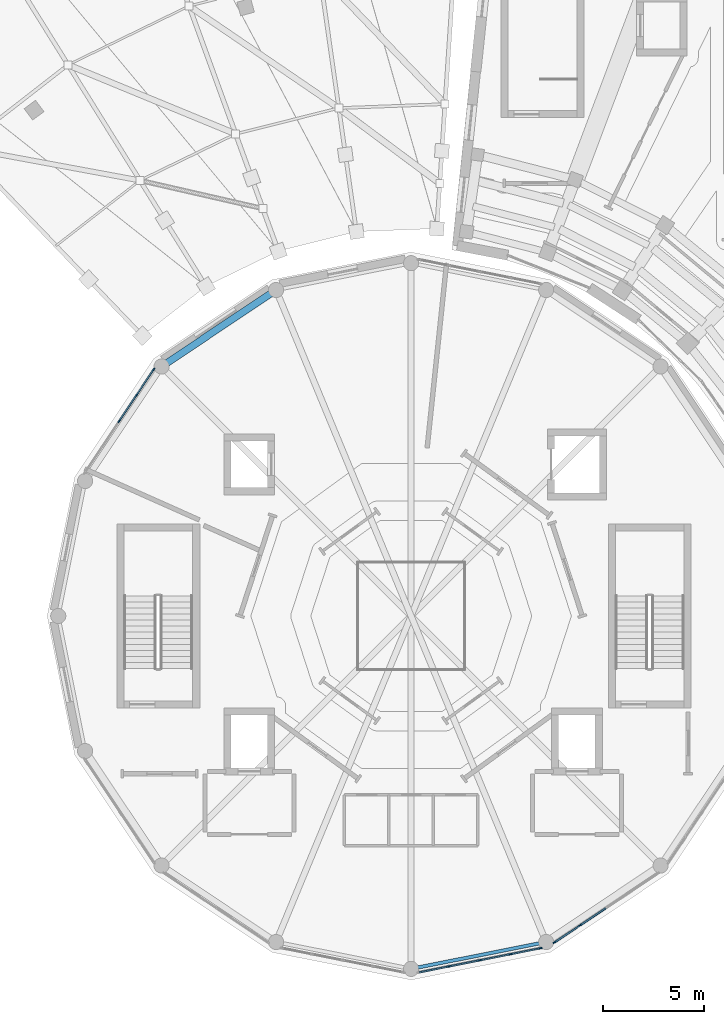
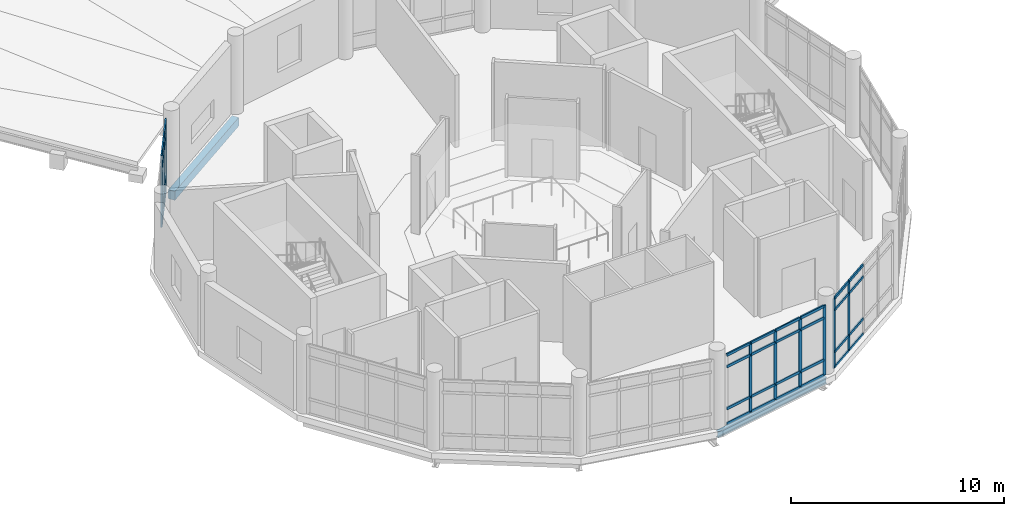
# One storey, part 8 of 27: 41 members, 2 beams, 3 elements without a shape of their own.
"""IFC4 building model written with IfcOpenShell, lengths in metres."""

from ifc_helpers import new_model, si_unit, direction, frame, origin, origin_2d, place, context, subcontext, project, spatial, rectangle, i_section, extrude, material, material_profile, profile_set, type_object, element, aggregate, save


model = new_model("IFC4")

# Units and contexts
model_context = context("Model", 3, precision=1e-05, world=origin(), true_north=direction((0.0, 1.0)))
body_context = subcontext(model_context, "Body", "Model", "MODEL_VIEW")
ifc_project = project(units=[si_unit("LENGTHUNIT", "METRE"), si_unit("AREAUNIT", "SQUARE_METRE"), si_unit("VOLUMEUNIT", "CUBIC_METRE"), si_unit("PLANEANGLEUNIT", "RADIAN"), si_unit("MASSUNIT", "GRAM", prefix="KILO")], contexts=[model_context])

# Site, building, storey
site_placement = place(None, origin())
site = spatial("IfcSite", under=ifc_project, at=site_placement, CompositionType="ELEMENT")
building_placement = place(site_placement, origin())
building = spatial("IfcBuilding", under=site, at=building_placement, Name="Soyqirgoq Riverine Aquarium", CompositionType="ELEMENT")
storey_placement = place(building_placement, frame((0.0, 0.0, 19.800048828125)))
storey = spatial("IfcBuildingStorey", under=building, at=storey_placement, Name="L05", CompositionType="ELEMENT", Elevation=19.800048828125)

# Curtain wall, members
ifc_material_1 = material(Name="Anodised aluminium thermally broken triple low-E glazing", Category="aluminium")
curtain_wall_type = type_object("IfcCurtainWallType", Name="CW_DrumGallery_Unitised", PredefinedType="NOTDEFINED", material=ifc_material_1)
curtain_wall_1_placement = place(storey_placement, origin())
curtain_wall_1 = element("IfcCurtainWall", 1, at=curtain_wall_1_placement, inside=storey, type_object=curtain_wall_type, Name="V1 L05 Curtain Wall 027", PredefinedType="NOTDEFINED")
ifc_material_2 = material(Name="Anodised aluminium 6063-T6", Category="aluminium")
ifc_material_profile_1 = material_profile(ifc_material_2, rectangle(XDim=0.06494140625, YDim=0.179931640625, at=origin_2d()), Name="ALU-M 65x180")
ifc_profile_set_1 = profile_set([ifc_material_profile_1], Name="Anodised aluminium 6063-T6")
member_type_1 = type_object("IfcMemberType", Name="CWMullion_65x180", PredefinedType="MULLION", material=ifc_profile_set_1)
member_1_placement = place(storey_placement, frame((43.26708984375, 69.19091796875, 0.0), z_axis=(0.0, 0.0, 1.0), x_axis=(0.831475717779, -0.55556109542, 0.0)))
member_1 = element("IfcMember", 2, at=member_1_placement, type_object=member_type_1, Name="CW-01 mullion 1", PredefinedType="MULLION", context=body_context, shape_type="SweptSolid", body=[
    extrude(rectangle(XDim=0.06494140625, YDim=0.179931640625, at=origin_2d()), origin(), (0.0, 0.0, 1.0), 4.0),
])
member_2_placement = place(storey_placement, frame((42.425537109375, 67.931396484375, 0.0), z_axis=(0.0, 0.0, 1.0), x_axis=(0.831475717779, -0.55556109542, 0.0)))
member_2 = element("IfcMember", 3, at=member_2_placement, type_object=member_type_1, Name="CW-01 mullion 2", PredefinedType="MULLION", context=body_context, shape_type="SweptSolid", body=[
    extrude(rectangle(XDim=0.06494140625, YDim=0.179931640625, at=origin_2d()), origin(), (0.0, 0.0, 1.0), 4.0),
])
member_3_placement = place(storey_placement, frame((41.565673828125, 66.64453125, 0.0), z_axis=(0.0, 0.0, 1.0), x_axis=(0.831475717779, -0.55556109542, 0.0)))
member_3 = element("IfcMember", 4, at=member_3_placement, type_object=member_type_1, Name="CW-01 mullion 3", PredefinedType="MULLION", context=body_context, shape_type="SweptSolid", body=[
    extrude(rectangle(XDim=0.06494140625, YDim=0.179931640625, at=origin_2d()), origin(), (0.0, 0.0, 1.0), 4.0),
])

curtain_wall_2_placement = place(storey_placement, origin())
curtain_wall_2 = element("IfcCurtainWall", 5, at=curtain_wall_2_placement, inside=storey, type_object=curtain_wall_type, Name="V1 L05 Curtain Wall 059", PredefinedType="NOTDEFINED")
member_4_placement = place(storey_placement, frame((57.869140625, 39.671875, 0.0), z_axis=(0.0, 0.0, 1.0), x_axis=(-0.19507834152, 0.980787663396, 0.0)))
member_4 = element("IfcMember", 6, at=member_4_placement, type_object=member_type_1, Name="CW-01 mullion 2", PredefinedType="MULLION", context=body_context, shape_type="SweptSolid", body=[
    extrude(rectangle(XDim=0.06494140625, YDim=0.179931640625, at=origin_2d()), origin(), (0.0, 0.0, 1.0), 4.0),
])
member_5_placement = place(storey_placement, frame((59.38671875, 39.9736328125, 0.0), z_axis=(0.0, 0.0, 1.0), x_axis=(-0.19507834152, 0.980787663396, 0.0)))
member_5 = element("IfcMember", 7, at=member_5_placement, type_object=member_type_1, Name="CW-01 mullion 3", PredefinedType="MULLION", context=body_context, shape_type="SweptSolid", body=[
    extrude(rectangle(XDim=0.06494140625, YDim=0.179931640625, at=origin_2d()), origin(), (0.0, 0.0, 1.0), 4.0),
])
member_6_placement = place(storey_placement, frame((60.904541015625, 40.275634765625, 0.0), z_axis=(0.0, 0.0, 1.0), x_axis=(-0.19507834152, 0.980787663396, 0.0)))
member_6 = element("IfcMember", 8, at=member_6_placement, type_object=member_type_1, Name="CW-01 mullion 4", PredefinedType="MULLION", context=body_context, shape_type="SweptSolid", body=[
    extrude(rectangle(XDim=0.06494140625, YDim=0.179931640625, at=origin_2d()), origin(), (0.0, 0.0, 1.0), 4.0),
])
member_7_placement = place(storey_placement, frame((62.390380859375, 40.571044921875, 0.0), z_axis=(0.0, 0.0, 1.0), x_axis=(-0.19507834152, 0.980787663396, 0.0)))
member_7 = element("IfcMember", 9, at=member_7_placement, type_object=member_type_1, Name="CW-01 mullion 5", PredefinedType="MULLION", context=body_context, shape_type="SweptSolid", body=[
    extrude(rectangle(XDim=0.06494140625, YDim=0.179931640625, at=origin_2d()), origin(), (0.0, 0.0, 1.0), 4.0),
])

curtain_wall_3_placement = place(storey_placement, origin())
curtain_wall_3 = element("IfcCurtainWall", 10, at=curtain_wall_3_placement, inside=storey, type_object=curtain_wall_type, Name="V1 L05 Curtain Wall 064", PredefinedType="NOTDEFINED")
member_8_placement = place(storey_placement, frame((63.09814453125, 40.8642578125, 0.0), z_axis=(0.0, 0.0, 1.0), x_axis=(-0.55556109542, 0.831475717779, 0.0)))
member_8 = element("IfcMember", 11, at=member_8_placement, type_object=member_type_1, Name="CW-01 mullion 1", PredefinedType="MULLION", context=body_context, shape_type="SweptSolid", body=[
    extrude(rectangle(XDim=0.06494140625, YDim=0.179931640625, at=origin_2d()), origin(), (0.0, 0.0, 1.0), 4.0),
])
member_9_placement = place(storey_placement, frame((64.35791015625, 41.7060546875, 0.0), z_axis=(0.0, 0.0, 1.0), x_axis=(-0.55556109542, 0.831475717779, 0.0)))
member_9 = element("IfcMember", 12, at=member_9_placement, type_object=member_type_1, Name="CW-01 mullion 2", PredefinedType="MULLION", context=body_context, shape_type="SweptSolid", body=[
    extrude(rectangle(XDim=0.06494140625, YDim=0.179931640625, at=origin_2d()), origin(), (0.0, 0.0, 1.0), 4.0),
])

# Member
ifc_material_3 = material(Name="Anodised aluminium 6063-T6", Category="aluminium")
ifc_material_profile_2 = material_profile(ifc_material_3, rectangle(XDim=0.074951171875, YDim=0.14990234375, at=origin_2d()), Name="ALU-T 75x150")
ifc_profile_set_2 = profile_set([ifc_material_profile_2], Name="Anodised aluminium 6063-T6")
member_type_2 = type_object("IfcMemberType", Name="CWTransom_75x150", PredefinedType="USERDEFINED", material=ifc_profile_set_2)
member_10_placement = place(storey_placement, frame((43.2490234375, 69.1640625, 0.037353515625), z_axis=(-0.555438196411, -0.831557821181, 0.0), x_axis=(0.831557821181, -0.555438196411, 0.0)))
member_10 = element("IfcMember", 13, at=member_10_placement, type_object=member_type_2, Name="CW-01 transom 1.1", ObjectType="TRANSOM", PredefinedType="USERDEFINED", context=body_context, shape_type="SweptSolid", body=[
    extrude(rectangle(XDim=0.074951171875, YDim=0.14990234375, at=origin_2d()), origin(), (0.0, 0.0, 1.0), 1.449951171875),
])

member_11_placement = place(storey_placement, frame((43.2490234375, 69.1640625, 0.89990234375), z_axis=(-0.555438196411, -0.831557821181, 0.0), x_axis=(0.831557821181, -0.555438196411, 0.0)))
member_11 = element("IfcMember", 14, at=member_11_placement, type_object=member_type_2, Name="CW-01 transom 1.2", ObjectType="TRANSOM", PredefinedType="USERDEFINED", context=body_context, shape_type="SweptSolid", body=[
    extrude(rectangle(XDim=0.074951171875, YDim=0.14990234375, at=origin_2d()), origin(), (0.0, 0.0, 1.0), 1.449951171875),
])

member_12_placement = place(storey_placement, frame((43.2490234375, 69.1640625, 3.300048828125), z_axis=(-0.555438196411, -0.831557821181, 0.0), x_axis=(0.831557821181, -0.555438196411, 0.0)))
member_12 = element("IfcMember", 15, at=member_12_placement, type_object=member_type_2, Name="CW-01 transom 1.3", ObjectType="TRANSOM", PredefinedType="USERDEFINED", context=body_context, shape_type="SweptSolid", body=[
    extrude(rectangle(XDim=0.074951171875, YDim=0.14990234375, at=origin_2d()), origin(), (0.0, 0.0, 1.0), 1.449951171875),
])

member_13_placement = place(storey_placement, frame((43.2490234375, 69.1640625, 3.96240234375), z_axis=(-0.555438196411, -0.831557821181, 0.0), x_axis=(0.831557821181, -0.555438196411, 0.0)))
member_13 = element("IfcMember", 16, at=member_13_placement, type_object=member_type_2, Name="CW-01 transom 1.4", ObjectType="TRANSOM", PredefinedType="USERDEFINED", context=body_context, shape_type="SweptSolid", body=[
    extrude(rectangle(XDim=0.074951171875, YDim=0.14990234375, at=origin_2d()), origin(), (0.0, 0.0, 1.0), 1.449951171875),
])

member_14_placement = place(storey_placement, frame((42.407470703125, 67.904296875, 0.037353515625), z_axis=(-0.555611906603, -0.831441765394, 0.0), x_axis=(0.831441765394, -0.555611906603, 0.0)))
member_14 = element("IfcMember", 17, at=member_14_placement, type_object=member_type_2, Name="CW-01 transom 2.1", ObjectType="TRANSOM", PredefinedType="USERDEFINED", context=body_context, shape_type="SweptSolid", body=[
    extrude(rectangle(XDim=0.074951171875, YDim=0.14990234375, at=origin_2d()), origin(), (0.0, 0.0, 1.0), 1.482666015625),
])

member_15_placement = place(storey_placement, frame((42.407470703125, 67.904296875, 0.89990234375), z_axis=(-0.555611906603, -0.831441765394, 0.0), x_axis=(0.831441765394, -0.555611906603, 0.0)))
member_15 = element("IfcMember", 18, at=member_15_placement, type_object=member_type_2, Name="CW-01 transom 2.2", ObjectType="TRANSOM", PredefinedType="USERDEFINED", context=body_context, shape_type="SweptSolid", body=[
    extrude(rectangle(XDim=0.074951171875, YDim=0.14990234375, at=origin_2d()), origin(), (0.0, 0.0, 1.0), 1.482666015625),
])

member_16_placement = place(storey_placement, frame((42.407470703125, 67.904296875, 3.300048828125), z_axis=(-0.555611906603, -0.831441765394, 0.0), x_axis=(0.831441765394, -0.555611906603, 0.0)))
member_16 = element("IfcMember", 19, at=member_16_placement, type_object=member_type_2, Name="CW-01 transom 2.3", ObjectType="TRANSOM", PredefinedType="USERDEFINED", context=body_context, shape_type="SweptSolid", body=[
    extrude(rectangle(XDim=0.074951171875, YDim=0.14990234375, at=origin_2d()), origin(), (0.0, 0.0, 1.0), 1.482666015625),
])

member_17_placement = place(storey_placement, frame((42.407470703125, 67.904296875, 3.96240234375), z_axis=(-0.555611906603, -0.831441765394, 0.0), x_axis=(0.831441765394, -0.555611906603, 0.0)))
member_17 = element("IfcMember", 20, at=member_17_placement, type_object=member_type_2, Name="CW-01 transom 2.4", ObjectType="TRANSOM", PredefinedType="USERDEFINED", context=body_context, shape_type="SweptSolid", body=[
    extrude(rectangle(XDim=0.074951171875, YDim=0.14990234375, at=origin_2d()), origin(), (0.0, 0.0, 1.0), 1.482666015625),
])

aggregate(curtain_wall_1, [member_1, member_2, member_3, member_10, member_11, member_12, member_13, member_14, member_15, member_16, member_17])

member_18_placement = place(storey_placement, frame((56.4150390625, 39.382568359375, 0.037353515625), z_axis=(0.980774471438, 0.195144654489, 0.0), x_axis=(-0.195144654489, 0.980774471438, 0.0)))
member_18 = element("IfcMember", 21, at=member_18_placement, type_object=member_type_2, Name="CW-01 transom 1.1", ObjectType="TRANSOM", PredefinedType="USERDEFINED", context=body_context, shape_type="SweptSolid", body=[
    extrude(rectangle(XDim=0.074951171875, YDim=0.14990234375, at=origin_2d()), origin(), (0.0, 0.0, 1.0), 1.449951171875),
])

member_19_placement = place(storey_placement, frame((56.4150390625, 39.382568359375, 0.89990234375), z_axis=(0.980774471438, 0.195144654489, 0.0), x_axis=(-0.195144654489, 0.980774471438, 0.0)))
member_19 = element("IfcMember", 22, at=member_19_placement, type_object=member_type_2, Name="CW-01 transom 1.2", ObjectType="TRANSOM", PredefinedType="USERDEFINED", context=body_context, shape_type="SweptSolid", body=[
    extrude(rectangle(XDim=0.074951171875, YDim=0.14990234375, at=origin_2d()), origin(), (0.0, 0.0, 1.0), 1.449951171875),
])

member_20_placement = place(storey_placement, frame((56.4150390625, 39.382568359375, 3.300048828125), z_axis=(0.980774471438, 0.195144654489, 0.0), x_axis=(-0.195144654489, 0.980774471438, 0.0)))
member_20 = element("IfcMember", 23, at=member_20_placement, type_object=member_type_2, Name="CW-01 transom 1.3", ObjectType="TRANSOM", PredefinedType="USERDEFINED", context=body_context, shape_type="SweptSolid", body=[
    extrude(rectangle(XDim=0.074951171875, YDim=0.14990234375, at=origin_2d()), origin(), (0.0, 0.0, 1.0), 1.449951171875),
])

member_21_placement = place(storey_placement, frame((56.4150390625, 39.382568359375, 3.96240234375), z_axis=(0.980774471438, 0.195144654489, 0.0), x_axis=(-0.195144654489, 0.980774471438, 0.0)))
member_21 = element("IfcMember", 24, at=member_21_placement, type_object=member_type_2, Name="CW-01 transom 1.4", ObjectType="TRANSOM", PredefinedType="USERDEFINED", context=body_context, shape_type="SweptSolid", body=[
    extrude(rectangle(XDim=0.074951171875, YDim=0.14990234375, at=origin_2d()), origin(), (0.0, 0.0, 1.0), 1.449951171875),
])

member_22_placement = place(storey_placement, frame((57.90087890625, 39.67822265625, 0.037353515625), z_axis=(0.980808025355, 0.194975940567, 0.0), x_axis=(-0.194975940567, 0.980808025355, 0.0)))
member_22 = element("IfcMember", 25, at=member_22_placement, type_object=member_type_2, Name="CW-01 transom 2.1", ObjectType="TRANSOM", PredefinedType="USERDEFINED", context=body_context, shape_type="SweptSolid", body=[
    extrude(rectangle(XDim=0.074951171875, YDim=0.14990234375, at=origin_2d()), origin(), (0.0, 0.0, 1.0), 1.482666015625),
])

member_23_placement = place(storey_placement, frame((57.90087890625, 39.67822265625, 0.89990234375), z_axis=(0.980808025355, 0.194975940567, 0.0), x_axis=(-0.194975940567, 0.980808025355, 0.0)))
member_23 = element("IfcMember", 26, at=member_23_placement, type_object=member_type_2, Name="CW-01 transom 2.2", ObjectType="TRANSOM", PredefinedType="USERDEFINED", context=body_context, shape_type="SweptSolid", body=[
    extrude(rectangle(XDim=0.074951171875, YDim=0.14990234375, at=origin_2d()), origin(), (0.0, 0.0, 1.0), 1.482666015625),
])

member_24_placement = place(storey_placement, frame((57.90087890625, 39.67822265625, 3.300048828125), z_axis=(0.980808025355, 0.194975940567, 0.0), x_axis=(-0.194975940567, 0.980808025355, 0.0)))
member_24 = element("IfcMember", 27, at=member_24_placement, type_object=member_type_2, Name="CW-01 transom 2.3", ObjectType="TRANSOM", PredefinedType="USERDEFINED", context=body_context, shape_type="SweptSolid", body=[
    extrude(rectangle(XDim=0.074951171875, YDim=0.14990234375, at=origin_2d()), origin(), (0.0, 0.0, 1.0), 1.482666015625),
])

member_25_placement = place(storey_placement, frame((57.90087890625, 39.67822265625, 3.96240234375), z_axis=(0.980808025355, 0.194975940567, 0.0), x_axis=(-0.194975940567, 0.980808025355, 0.0)))
member_25 = element("IfcMember", 28, at=member_25_placement, type_object=member_type_2, Name="CW-01 transom 2.4", ObjectType="TRANSOM", PredefinedType="USERDEFINED", context=body_context, shape_type="SweptSolid", body=[
    extrude(rectangle(XDim=0.074951171875, YDim=0.14990234375, at=origin_2d()), origin(), (0.0, 0.0, 1.0), 1.482666015625),
])

member_26_placement = place(storey_placement, frame((59.418701171875, 39.97998046875, 0.037353515625), z_axis=(0.980770250261, 0.19516586844, 0.0), x_axis=(-0.19516586844, 0.980770250261, 0.0)))
member_26 = element("IfcMember", 29, at=member_26_placement, type_object=member_type_2, Name="CW-01 transom 3.1", ObjectType="TRANSOM", PredefinedType="USERDEFINED", context=body_context, shape_type="SweptSolid", body=[
    extrude(rectangle(XDim=0.074951171875, YDim=0.14990234375, at=origin_2d()), origin(), (0.0, 0.0, 1.0), 1.482421875),
])

member_27_placement = place(storey_placement, frame((59.418701171875, 39.97998046875, 0.89990234375), z_axis=(0.980770250261, 0.19516586844, 0.0), x_axis=(-0.19516586844, 0.980770250261, 0.0)))
member_27 = element("IfcMember", 30, at=member_27_placement, type_object=member_type_2, Name="CW-01 transom 3.2", ObjectType="TRANSOM", PredefinedType="USERDEFINED", context=body_context, shape_type="SweptSolid", body=[
    extrude(rectangle(XDim=0.074951171875, YDim=0.14990234375, at=origin_2d()), origin(), (0.0, 0.0, 1.0), 1.482421875),
])

member_28_placement = place(storey_placement, frame((59.418701171875, 39.97998046875, 3.300048828125), z_axis=(0.980770250261, 0.19516586844, 0.0), x_axis=(-0.19516586844, 0.980770250261, 0.0)))
member_28 = element("IfcMember", 31, at=member_28_placement, type_object=member_type_2, Name="CW-01 transom 3.3", ObjectType="TRANSOM", PredefinedType="USERDEFINED", context=body_context, shape_type="SweptSolid", body=[
    extrude(rectangle(XDim=0.074951171875, YDim=0.14990234375, at=origin_2d()), origin(), (0.0, 0.0, 1.0), 1.482421875),
])

member_29_placement = place(storey_placement, frame((59.418701171875, 39.97998046875, 3.96240234375), z_axis=(0.980770250261, 0.19516586844, 0.0), x_axis=(-0.19516586844, 0.980770250261, 0.0)))
member_29 = element("IfcMember", 32, at=member_29_placement, type_object=member_type_2, Name="CW-01 transom 3.4", ObjectType="TRANSOM", PredefinedType="USERDEFINED", context=body_context, shape_type="SweptSolid", body=[
    extrude(rectangle(XDim=0.074951171875, YDim=0.14990234375, at=origin_2d()), origin(), (0.0, 0.0, 1.0), 1.482421875),
])

member_30_placement = place(storey_placement, frame((60.936279296875, 40.281982421875, 0.037353515625), z_axis=(0.980806684576, 0.194982685105, 0.0), x_axis=(-0.194982685105, 0.980806684576, 0.0)))
member_30 = element("IfcMember", 33, at=member_30_placement, type_object=member_type_2, Name="CW-01 transom 4.1", ObjectType="TRANSOM", PredefinedType="USERDEFINED", context=body_context, shape_type="SweptSolid", body=[
    extrude(rectangle(XDim=0.074951171875, YDim=0.14990234375, at=origin_2d()), origin(), (0.0, 0.0, 1.0), 1.449951171875),
])

member_31_placement = place(storey_placement, frame((60.936279296875, 40.281982421875, 0.89990234375), z_axis=(0.980806684576, 0.194982685105, 0.0), x_axis=(-0.194982685105, 0.980806684576, 0.0)))
member_31 = element("IfcMember", 34, at=member_31_placement, type_object=member_type_2, Name="CW-01 transom 4.2", ObjectType="TRANSOM", PredefinedType="USERDEFINED", context=body_context, shape_type="SweptSolid", body=[
    extrude(rectangle(XDim=0.074951171875, YDim=0.14990234375, at=origin_2d()), origin(), (0.0, 0.0, 1.0), 1.449951171875),
])

member_32_placement = place(storey_placement, frame((60.936279296875, 40.281982421875, 3.300048828125), z_axis=(0.980806684576, 0.194982685105, 0.0), x_axis=(-0.194982685105, 0.980806684576, 0.0)))
member_32 = element("IfcMember", 35, at=member_32_placement, type_object=member_type_2, Name="CW-01 transom 4.3", ObjectType="TRANSOM", PredefinedType="USERDEFINED", context=body_context, shape_type="SweptSolid", body=[
    extrude(rectangle(XDim=0.074951171875, YDim=0.14990234375, at=origin_2d()), origin(), (0.0, 0.0, 1.0), 1.449951171875),
])

member_33_placement = place(storey_placement, frame((60.936279296875, 40.281982421875, 3.96240234375), z_axis=(0.980806684576, 0.194982685105, 0.0), x_axis=(-0.194982685105, 0.980806684576, 0.0)))
member_33 = element("IfcMember", 36, at=member_33_placement, type_object=member_type_2, Name="CW-01 transom 4.4", ObjectType="TRANSOM", PredefinedType="USERDEFINED", context=body_context, shape_type="SweptSolid", body=[
    extrude(rectangle(XDim=0.074951171875, YDim=0.14990234375, at=origin_2d()), origin(), (0.0, 0.0, 1.0), 1.449951171875),
])

aggregate(curtain_wall_2, [member_4, member_5, member_6, member_7, member_18, member_19, member_20, member_21, member_22, member_23, member_24, member_25, member_26, member_27, member_28, member_29, member_30, member_31, member_32, member_33])

member_34_placement = place(storey_placement, frame((63.125244140625, 40.88232421875, 0.037353515625), z_axis=(0.831428085189, 0.555632377709, 0.0), x_axis=(-0.555632377709, 0.831428085189, 0.0)))
member_34 = element("IfcMember", 37, at=member_34_placement, type_object=member_type_2, Name="CW-01 transom 1.1", ObjectType="TRANSOM", PredefinedType="USERDEFINED", context=body_context, shape_type="SweptSolid", body=[
    extrude(rectangle(XDim=0.074951171875, YDim=0.14990234375, at=origin_2d()), origin(), (0.0, 0.0, 1.0), 1.449951171875),
])

member_35_placement = place(storey_placement, frame((63.125244140625, 40.88232421875, 0.89990234375), z_axis=(0.831428085189, 0.555632377709, 0.0), x_axis=(-0.555632377709, 0.831428085189, 0.0)))
member_35 = element("IfcMember", 38, at=member_35_placement, type_object=member_type_2, Name="CW-01 transom 1.2", ObjectType="TRANSOM", PredefinedType="USERDEFINED", context=body_context, shape_type="SweptSolid", body=[
    extrude(rectangle(XDim=0.074951171875, YDim=0.14990234375, at=origin_2d()), origin(), (0.0, 0.0, 1.0), 1.449951171875),
])

member_36_placement = place(storey_placement, frame((63.125244140625, 40.88232421875, 3.300048828125), z_axis=(0.831428085189, 0.555632377709, 0.0), x_axis=(-0.555632377709, 0.831428085189, 0.0)))
member_36 = element("IfcMember", 39, at=member_36_placement, type_object=member_type_2, Name="CW-01 transom 1.3", ObjectType="TRANSOM", PredefinedType="USERDEFINED", context=body_context, shape_type="SweptSolid", body=[
    extrude(rectangle(XDim=0.074951171875, YDim=0.14990234375, at=origin_2d()), origin(), (0.0, 0.0, 1.0), 1.449951171875),
])

member_37_placement = place(storey_placement, frame((63.125244140625, 40.88232421875, 3.96240234375), z_axis=(0.831428085189, 0.555632377709, 0.0), x_axis=(-0.555632377709, 0.831428085189, 0.0)))
member_37 = element("IfcMember", 40, at=member_37_placement, type_object=member_type_2, Name="CW-01 transom 1.4", ObjectType="TRANSOM", PredefinedType="USERDEFINED", context=body_context, shape_type="SweptSolid", body=[
    extrude(rectangle(XDim=0.074951171875, YDim=0.14990234375, at=origin_2d()), origin(), (0.0, 0.0, 1.0), 1.449951171875),
])

member_38_placement = place(storey_placement, frame((64.385009765625, 41.72412109375, 0.037353515625), z_axis=(0.831517837437, 0.555498052223, 0.0), x_axis=(-0.555498052223, 0.831517837437, 0.0)))
member_38 = element("IfcMember", 41, at=member_38_placement, type_object=member_type_2, Name="CW-01 transom 2.1", ObjectType="TRANSOM", PredefinedType="USERDEFINED", context=body_context, shape_type="SweptSolid", body=[
    extrude(rectangle(XDim=0.074951171875, YDim=0.14990234375, at=origin_2d()), origin(), (0.0, 0.0, 1.0), 1.482421875),
])

member_39_placement = place(storey_placement, frame((64.385009765625, 41.72412109375, 0.89990234375), z_axis=(0.831517837437, 0.555498052223, 0.0), x_axis=(-0.555498052223, 0.831517837437, 0.0)))
member_39 = element("IfcMember", 42, at=member_39_placement, type_object=member_type_2, Name="CW-01 transom 2.2", ObjectType="TRANSOM", PredefinedType="USERDEFINED", context=body_context, shape_type="SweptSolid", body=[
    extrude(rectangle(XDim=0.074951171875, YDim=0.14990234375, at=origin_2d()), origin(), (0.0, 0.0, 1.0), 1.482421875),
])

member_40_placement = place(storey_placement, frame((64.385009765625, 41.72412109375, 3.300048828125), z_axis=(0.831517837437, 0.555498052223, 0.0), x_axis=(-0.555498052223, 0.831517837437, 0.0)))
member_40 = element("IfcMember", 43, at=member_40_placement, type_object=member_type_2, Name="CW-01 transom 2.3", ObjectType="TRANSOM", PredefinedType="USERDEFINED", context=body_context, shape_type="SweptSolid", body=[
    extrude(rectangle(XDim=0.074951171875, YDim=0.14990234375, at=origin_2d()), origin(), (0.0, 0.0, 1.0), 1.482421875),
])

member_41_placement = place(storey_placement, frame((64.385009765625, 41.72412109375, 3.96240234375), z_axis=(0.831517837437, 0.555498052223, 0.0), x_axis=(-0.555498052223, 0.831517837437, 0.0)))
member_41 = element("IfcMember", 44, at=member_41_placement, type_object=member_type_2, Name="CW-01 transom 2.4", ObjectType="TRANSOM", PredefinedType="USERDEFINED", context=body_context, shape_type="SweptSolid", body=[
    extrude(rectangle(XDim=0.074951171875, YDim=0.14990234375, at=origin_2d()), origin(), (0.0, 0.0, 1.0), 1.482421875),
])

aggregate(curtain_wall_3, [member_8, member_9, member_34, member_35, member_36, member_37, member_38, member_39, member_40, member_41])

# Beams
ifc_material_4 = material(Name="Concrete C40/50", Category="concrete")
ifc_material_profile_3 = material_profile(ifc_material_4, rectangle(XDim=0.35009765625, YDim=0.5, at=origin_2d()), Name="RC 350x500")
ifc_profile_set_3 = profile_set([ifc_material_profile_3], Name="Concrete C40/50")
beam_type_1 = type_object("IfcBeamType", Name="Spandrel_RC_350x500", PredefinedType="SPANDREL", material=ifc_profile_set_3)
beam_1_placement = place(storey_placement, frame((49.3056640625, 73.110595703125, -0.60009765625), z_axis=(-0.83147831173, -0.555557213186, 0.0), x_axis=(0.555557213186, -0.83147831173, 0.0)))
element("IfcBeam", 45, at=beam_1_placement, inside=storey, type_object=beam_type_1, Name="V1 L05 Drum Spandrel Beam 0125", PredefinedType="SPANDREL", context=body_context, shape_type="SweptSolid", body=[
    extrude(rectangle(XDim=0.35009765625, YDim=0.5, at=origin_2d()), origin(), (0.0, 0.0, 1.0), 6.768798828125),
])
ifc_material_5 = material(Name="Structural steel S355", Category="steel")
ifc_material_profile_4 = material_profile(ifc_material_5, i_section(OverallWidth=0.169921875, OverallDepth=0.360107421875, WebThickness=0.008056640625, FlangeThickness=0.0126953125, FilletRadius=0.01806640625, at=origin_2d()), Name="IPE 360")
ifc_profile_set_4 = profile_set([ifc_material_profile_4], Name="Structural steel S355")
beam_type_2 = type_object("IfcBeamType", Name="Spandrel_Steel_IPE360", PredefinedType="SPANDREL", material=ifc_profile_set_4)
beam_2_placement = place(storey_placement, frame((56.01953125, 39.553955078125, -0.530029296875), z_axis=(0.980784073274, 0.195096390568, 0.0), x_axis=(-0.195096390568, 0.980784073274, 0.0)))
element("IfcBeam", 46, at=beam_2_placement, inside=storey, type_object=beam_type_2, Name="V1 L05 Drum Spandrel Beam 0134", PredefinedType="SPANDREL", context=body_context, shape_type="SweptSolid", body=[
    extrude(i_section(OverallWidth=0.169921875, OverallDepth=0.360107421875, WebThickness=0.008056640625, FlangeThickness=0.0126953125, FilletRadius=0.01806640625, at=origin_2d()), origin(), (0.0, 0.0, 1.0), 6.768798828125),
])

save(model, "model.ifc")
